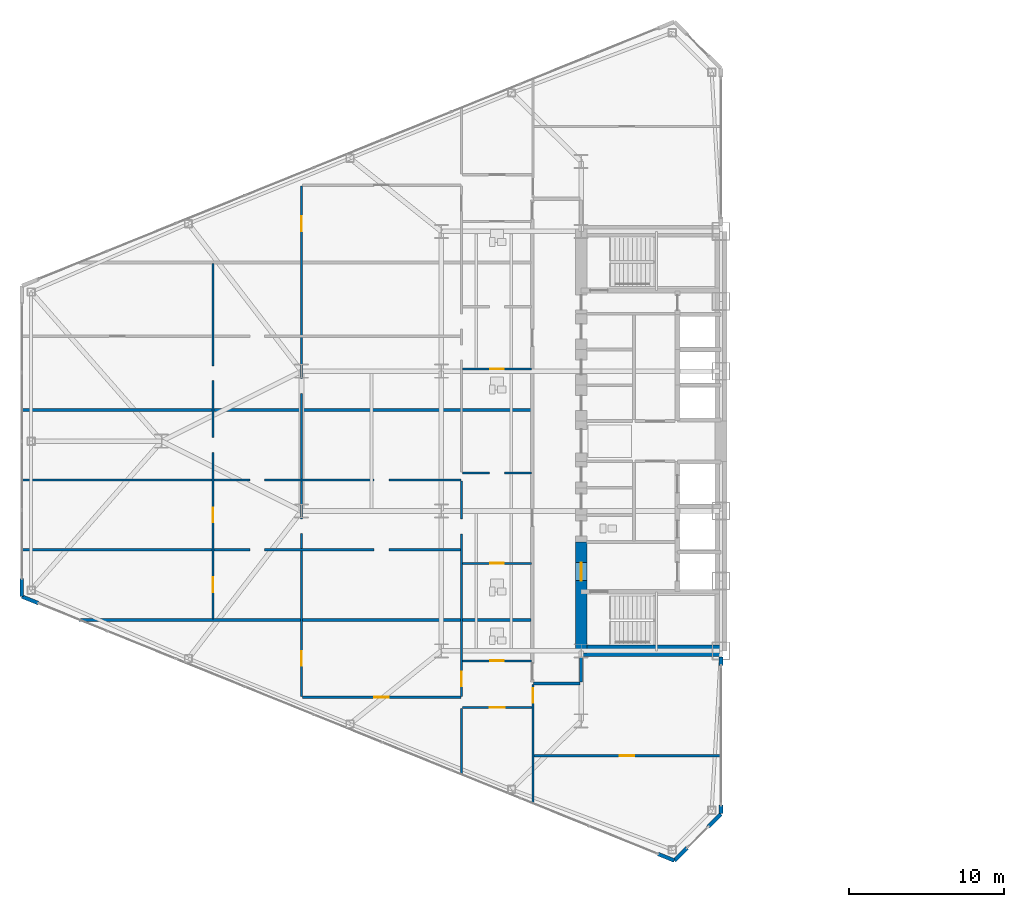
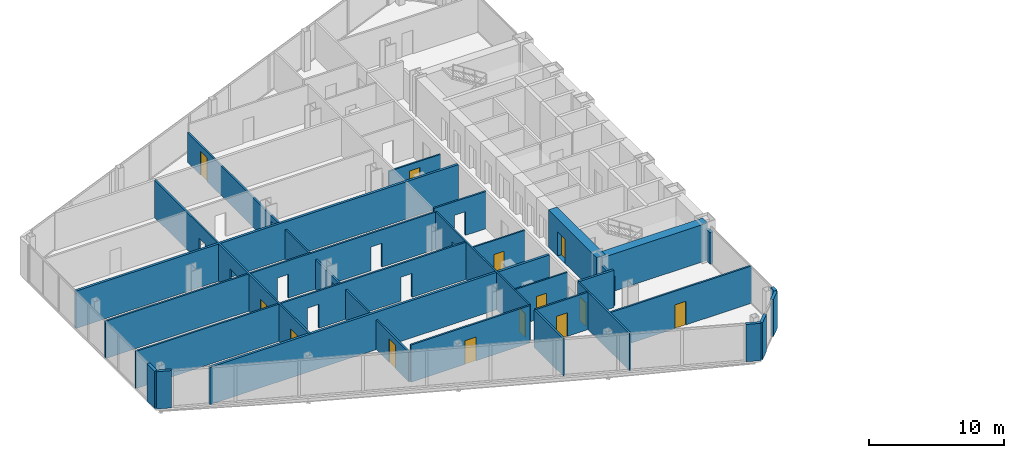
# One storey, part 17 of 25: 27 walls, 13 doors, 23 openings.
"""IFC4 building model written with IfcOpenShell, lengths in metres."""

from ifc_helpers import new_model, si_unit, direction, frame, frame_2d, origin, place, context, subcontext, project, spatial, rectangle, extrude, source, transform, mapped, material, layer, layer_set, type_object, type_shapes, element, fill, save


model = new_model("IFC4")

# Units and contexts
model_context = context("Model", 3, precision=1e-05, world=origin(), true_north=direction((0.0, 1.0)))
body_context = subcontext(model_context, "Body", "Model", "MODEL_VIEW")
ifc_project = project(units=[si_unit("LENGTHUNIT", "METRE"), si_unit("AREAUNIT", "SQUARE_METRE"), si_unit("VOLUMEUNIT", "CUBIC_METRE"), si_unit("PLANEANGLEUNIT", "RADIAN"), si_unit("MASSUNIT", "GRAM", prefix="KILO")], contexts=[model_context])

# Site, building, storey
site_placement = place(None, origin())
site = spatial("IfcSite", under=ifc_project, at=site_placement, CompositionType="ELEMENT")
building_placement = place(site_placement, origin())
building = spatial("IfcBuilding", under=site, at=building_placement, Name="Seokmaru Belvedere", CompositionType="ELEMENT")
storey_placement = place(building_placement, frame((0.0, 0.0, 33.300048828125)))
storey = spatial("IfcBuildingStorey", under=building, at=storey_placement, Name="L08", CompositionType="ELEMENT", Elevation=33.300048828125)

# Wall, opening, door
ifc_material_1 = material(Name="Fire-Rated Gypsum Shaftwall")
ifc_layer_1 = layer(ifc_material_1, 0.14990234375)
ifc_layer_set_1 = layer_set([ifc_layer_1], Name="Fire-Rated Gypsum Shaftwall")
wall_type_1 = type_object("IfcWallType", Name="Apartment Fire-Acoustic Room Partition 150", PredefinedType="PARTITIONING", material=ifc_layer_set_1)
wall_1_placement = place(storey_placement, frame((-39.550048828125, -20.25, 0.0), z_axis=(0.0, 0.0, 1.0), x_axis=(1.0, 0.0, 0.0)))
wall_1 = element("IfcWall", 1, at=wall_1_placement, inside=storey, type_object=wall_type_1, Name="L08 Interior Partition 001", PredefinedType="PARTITIONING", context=body_context, shape_type="SweptSolid", body=[
    extrude(rectangle(XDim=12.0849609375, YDim=0.14990234375, at=frame_2d((6.04248046875, 0.0))), origin(), (0.0, 0.0, 1.0), 3.3798828125),
])
opening_1_placement = place(wall_1_placement, frame((5.52490234375, 0.0, 0.0)))
opening_1 = element("IfcOpeningElement", 2, at=opening_1_placement, cuts=wall_1, Name="Opening D05", PredefinedType="OPENING", context=body_context, shape_type="SweptSolid", body=[
    extrude(rectangle(XDim=0.949951171875, YDim=2.14990234375, at=frame_2d((0.47509765625, 1.074951171875))), frame((0.0, 0.0849609375, 0.0), z_axis=(0.0, -1.0, 0.0), x_axis=(1.0, 0.0, 0.0)), (0.0, 0.0, 1.0), 0.169921875),
])
ifc_material_2 = material(Name="Engineered White Oak Timber", Category="wood")
door_type_1 = type_object("IfcDoorType", Name="Apartment Interior Fire-Rated Oak Door 950x2150", OperationType="NOTDEFINED", PredefinedType="DOOR", material=ifc_material_2)
shared_shape_1 = source(origin(), body_context, "Body", "SweptSolid", [
    extrude(rectangle(XDim=0.949951171875, YDim=2.14990234375, at=frame_2d((0.47509765625, 1.074951171875))), frame((0.0, 0.02490234375, 0.0), z_axis=(0.0, -1.0, 0.0), x_axis=(1.0, 0.0, 0.0)), (0.0, 0.0, 1.0), 0.050048828125),
])
type_shapes(door_type_1, [shared_shape_1])
door_1_placement = place(opening_1_placement, origin())
door_1 = element("IfcDoor", 3, at=door_1_placement, inside=storey, type_object=door_type_1, Name="L08 Interior Door 008", OperationType="SINGLE_SWING_RIGHT", OverallHeight=2.14990234375, OverallWidth=0.949951171875, PredefinedType="DOOR", context=body_context, shape_type="MappedRepresentation", body=[
    mapped(shared_shape_1, transform((0.0, 0.0, 0.0), scale=1.0)),
])
fill(opening_1, door_1)

wall_2_placement = place(storey_placement, frame((-44.14990234375, -17.139892578125, 0.0), z_axis=(0.0, 0.0, 1.0), x_axis=(1.0, 0.0, 0.0)))
wall_2 = element("IfcWall", 4, at=wall_2_placement, inside=storey, type_object=wall_type_1, Name="L08 Interior Partition 003", PredefinedType="PARTITIONING", context=body_context, shape_type="SweptSolid", body=[
    extrude(rectangle(XDim=4.5, YDim=0.14990234375, at=frame_2d((2.25, 0.0))), origin(), (0.0, 0.0, 1.0), 3.3798828125),
])
opening_2_placement = place(wall_2_placement, frame((1.77490234375, 0.0, 0.0)))
opening_2 = element("IfcOpeningElement", 5, at=opening_2_placement, cuts=wall_2, Name="Opening D05", PredefinedType="OPENING", context=body_context, shape_type="SweptSolid", body=[
    extrude(rectangle(XDim=0.949951171875, YDim=2.14990234375, at=frame_2d((0.47509765625, 1.074951171875))), frame((0.0, 0.0849609375, 0.0), z_axis=(0.0, -1.0, 0.0), x_axis=(1.0, 0.0, 0.0)), (0.0, 0.0, 1.0), 0.169921875),
])
door_2_placement = place(opening_2_placement, origin())
door_2 = element("IfcDoor", 6, at=door_2_placement, inside=storey, type_object=door_type_1, Name="L08 Interior Door 003", OperationType="SINGLE_SWING_LEFT", OverallHeight=2.14990234375, OverallWidth=0.949951171875, PredefinedType="DOOR", context=body_context, shape_type="MappedRepresentation", body=[
    mapped(shared_shape_1, transform((0.0, 0.0, 0.0), scale=1.0)),
])
fill(opening_2, door_2)

wall_3_placement = place(storey_placement, frame((-54.449951171875, -16.47998046875, 0.0), z_axis=(0.0, 0.0, 1.0), x_axis=(1.0, 0.0, 0.0)))
wall_3 = element("IfcWall", 7, at=wall_3_placement, inside=storey, type_object=wall_type_1, Name="L08 Interior Partition 005", PredefinedType="PARTITIONING", context=body_context, shape_type="SweptSolid", body=[
    extrude(rectangle(XDim=10.199951171875, YDim=0.14990234375, at=frame_2d((5.10009765625, 0.0))), origin(), (0.0, 0.0, 1.0), 3.3798828125),
])
opening_3_placement = place(wall_3_placement, frame((4.625, 0.0, 0.0)))
opening_3 = element("IfcOpeningElement", 8, at=opening_3_placement, cuts=wall_3, Name="Opening D05", PredefinedType="OPENING", context=body_context, shape_type="SweptSolid", body=[
    extrude(rectangle(XDim=0.949951171875, YDim=2.14990234375, at=frame_2d((0.47509765625, 1.074951171875))), frame((0.0, 0.0849609375, 0.0), z_axis=(0.0, -1.0, 0.0), x_axis=(1.0, 0.0, 0.0)), (0.0, 0.0, 1.0), 0.169921875),
])
door_3_placement = place(opening_3_placement, origin())
door_3 = element("IfcDoor", 9, at=door_3_placement, inside=storey, type_object=door_type_1, Name="L08 Interior Door 007", OperationType="SINGLE_SWING_LEFT", OverallHeight=2.14990234375, OverallWidth=0.949951171875, PredefinedType="DOOR", context=body_context, shape_type="MappedRepresentation", body=[
    mapped(shared_shape_1, transform((0.0, 0.0, 0.0), scale=1.0)),
])
fill(opening_3, door_3)

# Wall, openings
wall_4_placement = place(storey_placement, frame((-72.534912109375, -7.0, 0.0), z_axis=(0.0, 0.0, 1.0), x_axis=(1.0, 0.0, 0.0)))
wall_4 = element("IfcWall", 10, at=wall_4_placement, inside=storey, type_object=wall_type_1, Name="L08 Interior Partition 014", PredefinedType="PARTITIONING", context=body_context, shape_type="SweptSolid", body=[
    extrude(rectangle(XDim=28.284912109375, YDim=0.14990234375, at=frame_2d((14.142578125, 0.0))), origin(), (0.0, 0.0, 1.0), 3.3798828125),
])
opening_4_placement = place(wall_4_placement, frame((22.7099609375, 0.0, 0.0)))
element("IfcOpeningElement", 11, at=opening_4_placement, cuts=wall_4, Name="L08 Cased Opening 014", PredefinedType="OPENING", context=body_context, shape_type="SweptSolid", body=[
    extrude(rectangle(XDim=0.949951171875, YDim=2.14990234375, at=frame_2d((0.47509765625, 1.074951171875))), frame((0.0, 0.0849609375, 0.0), z_axis=(0.0, -1.0, 0.0), x_axis=(1.0, 0.0, 0.0)), (0.0, 0.0, 1.0), 0.169921875),
])
opening_5_placement = place(wall_4_placement, frame((14.7099609375, 0.0, 0.0)))
element("IfcOpeningElement", 12, at=opening_5_placement, cuts=wall_4, Name="L08 Cased Opening 016", PredefinedType="OPENING", context=body_context, shape_type="SweptSolid", body=[
    extrude(rectangle(XDim=0.949951171875, YDim=2.14990234375, at=frame_2d((0.47509765625, 1.074951171875))), frame((0.0, 0.0849609375, 0.0), z_axis=(0.0, -1.0, 0.0), x_axis=(1.0, 0.0, 0.0)), (0.0, 0.0, 1.0), 0.169921875),
])

wall_5_placement = place(storey_placement, frame((-72.534912109375, -2.5, 0.0), z_axis=(0.0, 0.0, 1.0), x_axis=(1.0, 0.0, 0.0)))
wall_5 = element("IfcWall", 13, at=wall_5_placement, inside=storey, type_object=wall_type_1, Name="L08 Interior Partition 016", PredefinedType="PARTITIONING", context=body_context, shape_type="SweptSolid", body=[
    extrude(rectangle(XDim=28.284912109375, YDim=0.14990234375, at=frame_2d((14.142578125, 0.0))), origin(), (0.0, 0.0, 1.0), 3.3798828125),
])
opening_6_placement = place(wall_5_placement, frame((22.7099609375, 0.0, 0.0)))
element("IfcOpeningElement", 14, at=opening_6_placement, cuts=wall_5, Name="L08 Cased Opening 015", PredefinedType="OPENING", context=body_context, shape_type="SweptSolid", body=[
    extrude(rectangle(XDim=0.949951171875, YDim=2.14990234375, at=frame_2d((0.47509765625, 1.074951171875))), frame((0.0, 0.0849609375, 0.0), z_axis=(0.0, -1.0, 0.0), x_axis=(1.0, 0.0, 0.0)), (0.0, 0.0, 1.0), 0.169921875),
])
opening_7_placement = place(wall_5_placement, frame((14.7099609375, 0.0, 0.0)))
element("IfcOpeningElement", 15, at=opening_7_placement, cuts=wall_5, Name="L08 Cased Opening 019", PredefinedType="OPENING", context=body_context, shape_type="SweptSolid", body=[
    extrude(rectangle(XDim=0.949951171875, YDim=2.14990234375, at=frame_2d((0.47509765625, 1.074951171875))), frame((0.0, 0.0849609375, 0.0), z_axis=(0.0, -1.0, 0.0), x_axis=(1.0, 0.0, 0.0)), (0.0, 0.0, 1.0), 0.169921875),
])

# Wall, opening
wall_6_placement = place(storey_placement, frame((-44.14990234375, -2.050048828125, 0.0), z_axis=(0.0, 0.0, 1.0), x_axis=(1.0, 0.0, 0.0)))
wall_6 = element("IfcWall", 16, at=wall_6_placement, inside=storey, type_object=wall_type_1, Name="L08 Interior Partition 018", PredefinedType="PARTITIONING", context=body_context, shape_type="SweptSolid", body=[
    extrude(rectangle(XDim=4.449951171875, YDim=0.14990234375, at=frame_2d((2.22509765625, 0.0))), origin(), (0.0, 0.0, 1.0), 3.3798828125),
])
opening_8_placement = place(wall_6_placement, frame((1.75, 0.0, 0.0)))
element("IfcOpeningElement", 17, at=opening_8_placement, cuts=wall_6, Name="L08 Cased Opening 011", PredefinedType="OPENING", context=body_context, shape_type="SweptSolid", body=[
    extrude(rectangle(XDim=0.949951171875, YDim=2.14990234375, at=frame_2d((0.47509765625, 1.074951171875))), frame((0.0, 0.0849609375, 0.0), z_axis=(0.0, -1.0, 0.0), x_axis=(1.0, 0.0, 0.0)), (0.0, 0.0, 1.0), 0.169921875),
])

# Wall, openings, doors
wall_7_placement = place(storey_placement, frame((-60.199951171875, -11.449951171875, 0.0), z_axis=(0.0, 0.0, 1.0), x_axis=(0.0, 1.0, 0.0)))
wall_7 = element("IfcWall", 18, at=wall_7_placement, inside=storey, type_object=wall_type_1, Name="L08 Interior Partition 039", PredefinedType="PARTITIONING", context=body_context, shape_type="SweptSolid", body=[
    extrude(rectangle(XDim=22.89990234375, YDim=0.14990234375, at=frame_2d((11.449951171875, 0.0))), origin(), (0.0, 0.0, 1.0), 3.3798828125),
])
opening_9_placement = place(wall_7_placement, frame((1.72509765625, 0.0, 0.0)))
opening_9 = element("IfcOpeningElement", 19, at=opening_9_placement, cuts=wall_7, Name="Opening D05", PredefinedType="OPENING", context=body_context, shape_type="SweptSolid", body=[
    extrude(rectangle(XDim=0.949951171875, YDim=2.14990234375, at=frame_2d((0.47509765625, 1.074951171875))), frame((0.0, 0.0849609375, 0.0), z_axis=(0.0, -1.0, 0.0), x_axis=(1.0, 0.0, 0.0)), (0.0, 0.0, 1.0), 0.169921875),
])
opening_10_placement = place(wall_7_placement, frame((6.22509765625, 0.0, 0.0)))
opening_10 = element("IfcOpeningElement", 20, at=opening_10_placement, cuts=wall_7, Name="Opening D05", PredefinedType="OPENING", context=body_context, shape_type="SweptSolid", body=[
    extrude(rectangle(XDim=0.949951171875, YDim=2.14990234375, at=frame_2d((0.47509765625, 1.074951171875))), frame((0.0, 0.0849609375, 0.0), z_axis=(0.0, -1.0, 0.0), x_axis=(1.0, 0.0, 0.0)), (0.0, 0.0, 1.0), 0.169921875),
])
opening_11_placement = place(wall_7_placement, frame((10.72509765625, 0.0, 0.0)))
element("IfcOpeningElement", 21, at=opening_11_placement, cuts=wall_7, Name="L08 Cased Opening 020", PredefinedType="OPENING", context=body_context, shape_type="SweptSolid", body=[
    extrude(rectangle(XDim=0.949951171875, YDim=2.14990234375, at=frame_2d((0.47509765625, 1.074951171875))), frame((0.0, 0.0849609375, 0.0), z_axis=(0.0, -1.0, 0.0), x_axis=(1.0, 0.0, 0.0)), (0.0, 0.0, 1.0), 0.169921875),
])
opening_12_placement = place(wall_7_placement, frame((15.35009765625, 0.0, 0.0)))
element("IfcOpeningElement", 22, at=opening_12_placement, cuts=wall_7, Name="L08 Cased Opening 027", PredefinedType="OPENING", context=body_context, shape_type="SweptSolid", body=[
    extrude(rectangle(XDim=0.949951171875, YDim=2.14990234375, at=frame_2d((0.47509765625, 1.074951171875))), frame((0.0, 0.0849609375, 0.0), z_axis=(0.0, -1.0, 0.0), x_axis=(1.0, 0.0, 0.0)), (0.0, 0.0, 1.0), 0.169921875),
])
door_4_placement = place(opening_9_placement, origin())
door_4 = element("IfcDoor", 23, at=door_4_placement, inside=storey, type_object=door_type_1, Name="L08 Interior Door 017", OperationType="SINGLE_SWING_RIGHT", OverallHeight=2.14990234375, OverallWidth=0.949951171875, PredefinedType="DOOR", context=body_context, shape_type="MappedRepresentation", body=[
    mapped(shared_shape_1, transform((0.0, 0.0, 0.0), scale=1.0)),
])
fill(opening_9, door_4)
door_5_placement = place(opening_10_placement, origin())
door_5 = element("IfcDoor", 24, at=door_5_placement, inside=storey, type_object=door_type_1, Name="L08 Interior Door 018", OperationType="SINGLE_SWING_RIGHT", OverallHeight=2.14990234375, OverallWidth=0.949951171875, PredefinedType="DOOR", context=body_context, shape_type="MappedRepresentation", body=[
    mapped(shared_shape_1, transform((0.0, 0.0, 0.0), scale=1.0)),
])
fill(opening_10, door_5)

wall_8_placement = place(storey_placement, frame((-54.5, -16.427001953125, 0.0), z_axis=(0.0, 0.0, 1.0), x_axis=(0.0, 1.0, 0.0)))
wall_8 = element("IfcWall", 25, at=wall_8_placement, inside=storey, type_object=wall_type_1, Name="L08 Interior Partition 040", PredefinedType="PARTITIONING", context=body_context, shape_type="SweptSolid", body=[
    extrude(rectangle(XDim=32.85400390625, YDim=0.14990234375, at=frame_2d((16.427001953125, 0.0))), origin(), (0.0, 0.0, 1.0), 2.679931640625),
])
opening_13_placement = place(wall_8_placement, frame((1.96337890625, 0.0, 0.0)))
opening_13 = element("IfcOpeningElement", 26, at=opening_13_placement, cuts=wall_8, Name="Opening D05", PredefinedType="OPENING", context=body_context, shape_type="SweptSolid", body=[
    extrude(rectangle(XDim=0.949951171875, YDim=2.14990234375, at=frame_2d((0.47509765625, 1.074951171875))), frame((0.0, 0.0849609375, 0.0), z_axis=(0.0, -1.0, 0.0), x_axis=(1.0, 0.0, 0.0)), (0.0, 0.0, 1.0), 0.169921875),
])
opening_14_placement = place(wall_8_placement, frame((10.469970703125, 0.0, 0.0)))
element("IfcOpeningElement", 27, at=opening_14_placement, cuts=wall_8, Name="L08 Cased Opening 013", PredefinedType="OPENING", context=body_context, shape_type="SweptSolid", body=[
    extrude(rectangle(XDim=0.949951171875, YDim=2.14990234375, at=frame_2d((0.47509765625, 1.074951171875))), frame((0.0, 0.0849609375, 0.0), z_axis=(0.0, -1.0, 0.0), x_axis=(1.0, 0.0, 0.0)), (0.0, 0.0, 1.0), 0.169921875),
])
opening_15_placement = place(wall_8_placement, frame((19.50390625, 0.0, 0.0)))
element("IfcOpeningElement", 28, at=opening_15_placement, cuts=wall_8, Name="L08 Cased Opening 026", PredefinedType="OPENING", context=body_context, shape_type="SweptSolid", body=[
    extrude(rectangle(XDim=0.949951171875, YDim=2.14990234375, at=frame_2d((0.47509765625, 1.074951171875))), frame((0.0, 0.0849609375, 0.0), z_axis=(0.0, -1.0, 0.0), x_axis=(1.0, 0.0, 0.0)), (0.0, 0.0, 1.0), 0.169921875),
])
opening_16_placement = place(wall_8_placement, frame((29.940673828125, 0.0, 0.0)))
opening_16 = element("IfcOpeningElement", 29, at=opening_16_placement, cuts=wall_8, Name="Opening D05", PredefinedType="OPENING", context=body_context, shape_type="SweptSolid", body=[
    extrude(rectangle(XDim=0.949951171875, YDim=2.14990234375, at=frame_2d((0.47509765625, 1.074951171875))), frame((0.0, 0.0849609375, 0.0), z_axis=(0.0, -1.0, 0.0), x_axis=(1.0, 0.0, 0.0)), (0.0, 0.0, 1.0), 0.169921875),
])
door_6_placement = place(opening_13_placement, origin())
door_6 = element("IfcDoor", 30, at=door_6_placement, inside=storey, type_object=door_type_1, Name="L08 Interior Door 006", OperationType="SINGLE_SWING_RIGHT", OverallHeight=2.14990234375, OverallWidth=0.949951171875, PredefinedType="DOOR", context=body_context, shape_type="MappedRepresentation", body=[
    mapped(shared_shape_1, transform((0.0, 0.0, 0.0), scale=1.0)),
])
fill(opening_13, door_6)
door_7_placement = place(opening_16_placement, origin())
door_7 = element("IfcDoor", 31, at=door_7_placement, inside=storey, type_object=door_type_1, Name="L08 Interior Door 035", OperationType="SINGLE_SWING_RIGHT", OverallHeight=2.14990234375, OverallWidth=0.949951171875, PredefinedType="DOOR", context=body_context, shape_type="MappedRepresentation", body=[
    mapped(shared_shape_1, transform((0.0, 0.0, 0.0), scale=1.0)),
])
fill(opening_16, door_7)

# Wall
wall_9_placement = place(storey_placement, frame((-44.199951171875, -21.489990234375, 0.0), z_axis=(0.0, 0.0, 1.0), x_axis=(0.0, 1.0, 0.0)))
element("IfcWall", 32, at=wall_9_placement, inside=storey, type_object=wall_type_1, Name="L08 Interior Partition 041", PredefinedType="PARTITIONING", context=body_context, shape_type="SweptSolid", body=[
    extrude(rectangle(XDim=4.294921875, YDim=0.14990234375, at=frame_2d((2.1474609375, 0.0))), origin(), (0.0, 0.0, 1.0), 3.3798828125),
])

# Wall, opening, door
wall_10_placement = place(storey_placement, frame((-39.60009765625, -23.35205078125, 0.0), z_axis=(0.0, 0.0, 1.0), x_axis=(0.0, 1.0, 0.0)))
wall_10 = element("IfcWall", 33, at=wall_10_placement, inside=storey, type_object=wall_type_1, Name="L08 Interior Partition 046", PredefinedType="PARTITIONING", context=body_context, shape_type="SweptSolid", body=[
    extrude(rectangle(XDim=7.7021484375, YDim=0.14990234375, at=frame_2d((3.85107421875, 0.0))), origin(), (0.0, 0.0, 1.0), 3.3798828125),
])
opening_17_placement = place(wall_10_placement, frame((6.50439453125, 0.0, 0.0)))
opening_17 = element("IfcOpeningElement", 34, at=opening_17_placement, cuts=wall_10, Name="Opening D05", PredefinedType="OPENING", context=body_context, shape_type="SweptSolid", body=[
    extrude(rectangle(XDim=0.949951171875, YDim=2.14990234375, at=frame_2d((0.47509765625, 1.074951171875))), frame((0.0, 0.0849609375, 0.0), z_axis=(0.0, -1.0, 0.0), x_axis=(1.0, 0.0, 0.0)), (0.0, 0.0, 1.0), 0.169921875),
])
door_8_placement = place(opening_17_placement, origin())
door_8 = element("IfcDoor", 35, at=door_8_placement, inside=storey, type_object=door_type_1, Name="L08 Interior Door 005", OperationType="SINGLE_SWING_RIGHT", OverallHeight=2.14990234375, OverallWidth=0.949951171875, PredefinedType="DOOR", context=body_context, shape_type="MappedRepresentation", body=[
    mapped(shared_shape_1, transform((0.0, 0.0, 0.0), scale=1.0)),
])
fill(opening_17, door_8)

# Walls
ifc_layer_2 = layer(ifc_material_1, 0.199951171875)
ifc_layer_set_2 = layer_set([ifc_layer_2], Name="Fire-Rated Gypsum Shaftwall")
wall_type_2 = type_object("IfcWallType", Name="Inter-Tenancy Fire Compartment Partition 200", PredefinedType="PARTITIONING", material=ifc_layer_set_2)
wall_11_placement = place(storey_placement, frame((-39.56494140625, -15.60009765625, 0.0), z_axis=(0.0, 0.0, 1.0), x_axis=(1.0, 0.0, 0.0)))
element("IfcWall", 36, at=wall_11_placement, inside=storey, type_object=wall_type_2, Name="L08 Interior Partition 006", PredefinedType="PARTITIONING", context=body_context, shape_type="SweptSolid", body=[
    extrude(rectangle(XDim=2.97998046875, YDim=0.199951171875, at=frame_2d((1.489990234375, 0.0))), origin(), (0.0, 0.0, 1.0), 3.3798828125),
])
wall_12_placement = place(storey_placement, frame((-68.806884765625, -11.5, 0.0), z_axis=(0.0, 0.0, 1.0), x_axis=(1.0, 0.0, 0.0)))
element("IfcWall", 37, at=wall_12_placement, inside=storey, type_object=wall_type_2, Name="L08 Interior Partition 011", PredefinedType="PARTITIONING", context=body_context, shape_type="SweptSolid", body=[
    extrude(rectangle(XDim=29.076904296875, YDim=0.199951171875, at=frame_2d((14.53857421875, 0.0))), origin(), (0.0, 0.0, 1.0), 3.3798828125),
])
wall_13_placement = place(storey_placement, frame((-72.5048828125, 2.0, 0.0), z_axis=(0.0, 0.0, 1.0), x_axis=(1.0, 0.0, 0.0)))
element("IfcWall", 38, at=wall_13_placement, inside=storey, type_object=wall_type_2, Name="L08 Interior Partition 020", PredefinedType="PARTITIONING", context=body_context, shape_type="SweptSolid", body=[
    extrude(rectangle(XDim=32.77490234375, YDim=0.199951171875, at=frame_2d((16.387451171875, 0.0))), origin(), (0.0, 0.0, 1.0), 3.3798828125),
])
wall_14_placement = place(storey_placement, frame((-36.5, -15.514892578125, 0.0), z_axis=(0.0, 0.0, 1.0), x_axis=(0.0, 1.0, 0.0)))
element("IfcWall", 39, at=wall_14_placement, inside=storey, type_object=wall_type_2, Name="L08 Interior Partition 048", PredefinedType="PARTITIONING", context=body_context, shape_type="SweptSolid", body=[
    extrude(rectangle(XDim=1.635009765625, YDim=0.199951171875, at=frame_2d((0.8173828125, 0.0))), origin(), (0.0, 0.0, 1.0), 2.679931640625),
])
ifc_material_3 = material(Name="Concrete C60 (60 MPa)", Category="concrete")
ifc_layer_3 = layer(ifc_material_3, 0.75)
ifc_layer_set_3 = layer_set([ifc_layer_3], Name="Concrete C60 (60 MPa)")
wall_type_3 = type_object("IfcWallType", Name="Lower Tower Reinforced Concrete Core Wall 750", PredefinedType="SHEAR", material=ifc_layer_set_3)
wall_15_placement = place(storey_placement, frame((-36.5, -13.5, 0.0), z_axis=(0.0, 0.0, 1.0), x_axis=(1.0, 0.0, 0.0)))
element("IfcWall", 40, at=wall_15_placement, inside=storey, type_object=wall_type_3, Name="L08 West South Core Wall", PredefinedType="SHEAR", context=body_context, shape_type="SweptSolid", body=[
    extrude(rectangle(XDim=9.0, YDim=0.75, at=frame_2d((4.5, 0.0))), origin(), (0.0, 0.0, 1.0), 3.3798828125),
])

# Wall, opening, door
wall_16_placement = place(storey_placement, frame((-36.5, -13.64990234375, 0.0), z_axis=(0.0, 0.0, 1.0), x_axis=(0.0, 1.0, 0.0)))
wall_16 = element("IfcWall", 41, at=wall_16_placement, inside=storey, type_object=wall_type_3, Name="L08 West West Core Wall FF", PredefinedType="SHEAR", context=body_context, shape_type="SweptSolid", body=[
    extrude(rectangle(XDim=7.14990234375, YDim=0.75, at=frame_2d((3.574951171875, 0.0))), origin(), (0.0, 0.0, 1.0), 3.3798828125),
])
opening_18_placement = place(wall_16_placement, frame((4.675048828125, 0.0, 0.0)))
opening_18 = element("IfcOpeningElement", 42, at=opening_18_placement, cuts=wall_16, Name="Opening D02", PredefinedType="OPENING", context=body_context, shape_type="SweptSolid", body=[
    extrude(rectangle(XDim=1.14990234375, YDim=2.199951171875, at=frame_2d((0.574951171875, 1.10009765625))), frame((0.0, 0.385009765625, 0.0), z_axis=(0.0, -1.0, 0.0), x_axis=(1.0, 0.0, 0.0)), (0.0, 0.0, 1.0), 0.77001953125),
])
ifc_material_4 = material(Name="Fire-Rated Steel Leaf", Category="steel")
door_type_2 = type_object("IfcDoorType", Name="Lobby and Vestibule Fire Door 1150x2200", OperationType="NOTDEFINED", PredefinedType="DOOR", material=ifc_material_4)
shared_shape_2 = source(origin(), body_context, "Body", "SweptSolid", [
    extrude(rectangle(XDim=1.14990234375, YDim=2.199951171875, at=frame_2d((0.574951171875, 1.10009765625))), frame((0.0, 0.02490234375, 0.0), z_axis=(0.0, -1.0, 0.0), x_axis=(1.0, 0.0, 0.0)), (0.0, 0.0, 1.0), 0.050048828125),
])
type_shapes(door_type_2, [shared_shape_2])
door_9_placement = place(opening_18_placement, frame((1.14990234375, 0.0, 0.0), z_axis=(0.0, 0.0, 1.0), x_axis=(-1.0, 0.0, 0.0)))
door_9 = element("IfcDoor", 43, at=door_9_placement, inside=storey, type_object=door_type_2, Name="L08 West Firefighting Lobby Door", OperationType="SINGLE_SWING_LEFT", OverallHeight=2.199951171875, OverallWidth=1.14990234375, PredefinedType="DOOR", context=body_context, shape_type="MappedRepresentation", body=[
    mapped(shared_shape_2, transform((0.0, 0.0, 0.0), scale=1.0)),
])
fill(opening_18, door_9)

ifc_layer_4 = layer(ifc_material_1, 0.1298828125)
ifc_layer_set_4 = layer_set([ifc_layer_4], Name="Fire-Rated Gypsum Shaftwall")
wall_type_4 = type_object("IfcWallType", Name="Moisture-Resistant Fire-Rated Bathroom Partition 130", PredefinedType="PARTITIONING", material=ifc_layer_set_4)
wall_17_placement = place(storey_placement, frame((-44.14990234375, -14.139892578125, 0.0), z_axis=(0.0, 0.0, 1.0), x_axis=(1.0, 0.0, 0.0)))
wall_17 = element("IfcWall", 44, at=wall_17_placement, inside=storey, type_object=wall_type_4, Name="L08 Interior Partition 008", PredefinedType="PARTITIONING", context=body_context, shape_type="SweptSolid", body=[
    extrude(rectangle(XDim=4.449951171875, YDim=0.1298828125, at=frame_2d((2.22509765625, 0.0))), origin(), (0.0, 0.0, 1.0), 3.3798828125),
])
opening_19_placement = place(wall_17_placement, frame((1.784912109375, 0.0, 0.0)))
opening_19 = element("IfcOpeningElement", 45, at=opening_19_placement, cuts=wall_17, Name="Opening D06", PredefinedType="OPENING", context=body_context, shape_type="SweptSolid", body=[
    extrude(rectangle(XDim=0.8798828125, YDim=2.10009765625, at=frame_2d((0.43994140625, 1.050048828125))), frame((0.0, 0.074951171875, 0.0), z_axis=(0.0, -1.0, 0.0), x_axis=(1.0, 0.0, 0.0)), (0.0, 0.0, 1.0), 0.14990234375),
])
door_type_3 = type_object("IfcDoorType", Name="Bathroom and Restroom Fire-Rated Door 880x2100", OperationType="NOTDEFINED", PredefinedType="DOOR", material=ifc_material_2)
shared_shape_3 = source(origin(), body_context, "Body", "SweptSolid", [
    extrude(rectangle(XDim=0.8798828125, YDim=2.10009765625, at=frame_2d((0.43994140625, 1.050048828125))), frame((0.0, 0.02490234375, 0.0), z_axis=(0.0, -1.0, 0.0), x_axis=(1.0, 0.0, 0.0)), (0.0, 0.0, 1.0), 0.050048828125),
])
type_shapes(door_type_3, [shared_shape_3])
door_10_placement = place(opening_19_placement, origin())
door_10 = element("IfcDoor", 46, at=door_10_placement, inside=storey, type_object=door_type_3, Name="L08 Interior Door 002", OperationType="SINGLE_SWING_LEFT", OverallHeight=2.10009765625, OverallWidth=0.8798828125, PredefinedType="DOOR", context=body_context, shape_type="MappedRepresentation", body=[
    mapped(shared_shape_3, transform((0.0, 0.0, 0.0), scale=1.0)),
])
fill(opening_19, door_10)

wall_18_placement = place(storey_placement, frame((-44.14990234375, -7.860107421875, 0.0), z_axis=(0.0, 0.0, 1.0), x_axis=(1.0, 0.0, 0.0)))
wall_18 = element("IfcWall", 47, at=wall_18_placement, inside=storey, type_object=wall_type_4, Name="L08 Interior Partition 013", PredefinedType="PARTITIONING", context=body_context, shape_type="SweptSolid", body=[
    extrude(rectangle(XDim=4.449951171875, YDim=0.1298828125, at=frame_2d((2.22509765625, 0.0))), origin(), (0.0, 0.0, 1.0), 3.3798828125),
])
opening_20_placement = place(wall_18_placement, frame((1.784912109375, 0.0, 0.0)))
opening_20 = element("IfcOpeningElement", 48, at=opening_20_placement, cuts=wall_18, Name="Opening D06", PredefinedType="OPENING", context=body_context, shape_type="SweptSolid", body=[
    extrude(rectangle(XDim=0.8798828125, YDim=2.10009765625, at=frame_2d((0.43994140625, 1.050048828125))), frame((0.0, 0.074951171875, 0.0), z_axis=(0.0, -1.0, 0.0), x_axis=(1.0, 0.0, 0.0)), (0.0, 0.0, 1.0), 0.14990234375),
])
door_11_placement = place(opening_20_placement, origin())
door_11 = element("IfcDoor", 49, at=door_11_placement, inside=storey, type_object=door_type_3, Name="L08 Interior Door 010", OperationType="SINGLE_SWING_LEFT", OverallHeight=2.10009765625, OverallWidth=0.8798828125, PredefinedType="DOOR", context=body_context, shape_type="MappedRepresentation", body=[
    mapped(shared_shape_3, transform((0.0, 0.0, 0.0), scale=1.0)),
])
fill(opening_20, door_11)

wall_19_placement = place(storey_placement, frame((-44.14990234375, 4.639892578125, 0.0), z_axis=(0.0, 0.0, 1.0), x_axis=(1.0, 0.0, 0.0)))
wall_19 = element("IfcWall", 50, at=wall_19_placement, inside=storey, type_object=wall_type_4, Name="L08 Interior Partition 023", PredefinedType="PARTITIONING", context=body_context, shape_type="SweptSolid", body=[
    extrude(rectangle(XDim=4.449951171875, YDim=0.1298828125, at=frame_2d((2.22509765625, 0.0))), origin(), (0.0, 0.0, 1.0), 2.679931640625),
])
opening_21_placement = place(wall_19_placement, frame((1.784912109375, 0.0, 0.0)))
opening_21 = element("IfcOpeningElement", 51, at=opening_21_placement, cuts=wall_19, Name="Opening D06", PredefinedType="OPENING", context=body_context, shape_type="SweptSolid", body=[
    extrude(rectangle(XDim=0.8798828125, YDim=2.10009765625, at=frame_2d((0.43994140625, 1.050048828125))), frame((0.0, 0.074951171875, 0.0), z_axis=(0.0, -1.0, 0.0), x_axis=(1.0, 0.0, 0.0)), (0.0, 0.0, 1.0), 0.14990234375),
])
door_12_placement = place(opening_21_placement, origin())
door_12 = element("IfcDoor", 52, at=door_12_placement, inside=storey, type_object=door_type_3, Name="L08 Interior Door 022", OperationType="SINGLE_SWING_LEFT", OverallHeight=2.10009765625, OverallWidth=0.8798828125, PredefinedType="DOOR", context=body_context, shape_type="MappedRepresentation", body=[
    mapped(shared_shape_3, transform((0.0, 0.0, 0.0), scale=1.0)),
])
fill(opening_21, door_12)

# Wall, openings, door
wall_20_placement = place(storey_placement, frame((-44.199951171875, -16.427001953125, 0.0), z_axis=(0.0, 0.0, 1.0), x_axis=(0.0, 1.0, 0.0)))
wall_20 = element("IfcWall", 53, at=wall_20_placement, inside=storey, type_object=wall_type_4, Name="L08 Interior Partition 042", PredefinedType="PARTITIONING", context=body_context, shape_type="SweptSolid", body=[
    extrude(rectangle(XDim=13.876953125, YDim=0.1298828125, at=frame_2d((6.9384765625, 0.0))), origin(), (0.0, 0.0, 1.0), 3.3798828125),
])
opening_22_placement = place(wall_20_placement, frame((0.640869140625, 0.0, 0.0)))
opening_22 = element("IfcOpeningElement", 54, at=opening_22_placement, cuts=wall_20, Name="Opening D05", PredefinedType="OPENING", context=body_context, shape_type="SweptSolid", body=[
    extrude(rectangle(XDim=0.949951171875, YDim=2.14990234375, at=frame_2d((0.47509765625, 1.074951171875))), frame((0.0, 0.074951171875, 0.0), z_axis=(0.0, -1.0, 0.0), x_axis=(1.0, 0.0, 0.0)), (0.0, 0.0, 1.0), 0.14990234375),
])
opening_23_placement = place(wall_20_placement, frame((10.45361328125, 0.0, 0.0)))
element("IfcOpeningElement", 55, at=opening_23_placement, cuts=wall_20, Name="L08 Cased Opening 012", PredefinedType="OPENING", context=body_context, shape_type="SweptSolid", body=[
    extrude(rectangle(XDim=0.949951171875, YDim=2.14990234375, at=frame_2d((0.47509765625, 1.074951171875))), frame((0.0, 0.074951171875, 0.0), z_axis=(0.0, -1.0, 0.0), x_axis=(1.0, 0.0, 0.0)), (0.0, 0.0, 1.0), 0.14990234375),
])
door_13_placement = place(opening_22_placement, origin())
door_13 = element("IfcDoor", 56, at=door_13_placement, inside=storey, type_object=door_type_1, Name="L08 Interior Door 004", OperationType="SINGLE_SWING_RIGHT", OverallHeight=2.14990234375, OverallWidth=0.949951171875, PredefinedType="DOOR", context=body_context, shape_type="MappedRepresentation", body=[
    mapped(shared_shape_1, transform((0.0, 0.0, 0.0), scale=1.0)),
])
fill(opening_22, door_13)

# Walls
ifc_material_5 = material(Name="Anodised Bronze Aluminium", Category="aluminium")
ifc_layer_5 = layer(ifc_material_5, 0.239990234375)
ifc_layer_set_5 = layer_set([ifc_layer_5], Name="Anodised Bronze Aluminium")
wall_type_5 = type_object("IfcWallType", Name="Tower Corner Spandrel Closure Wall 240", PredefinedType="SOLIDWALL", material=ifc_layer_set_5)
wall_21_placement = place(storey_placement, frame((-27.5, -23.97998046875, 0.0), z_axis=(0.0, 0.0, 1.0), x_axis=(0.0, 1.0, 0.0)))
element("IfcWall", 57, at=wall_21_placement, inside=storey, type_object=wall_type_5, Name="L08 W Spine Closure Pier 1A", PredefinedType="SOLIDWALL", context=body_context, shape_type="SweptSolid", body=[
    extrude(rectangle(XDim=0.550048828125, YDim=0.239990234375, at=frame_2d((0.27490234375, 0.0))), origin(), (0.0, 0.0, 1.0), 3.3798828125),
])
wall_22_placement = place(storey_placement, frame((-27.5, -14.429931640625, 0.0), z_axis=(0.0, 0.0, 1.0), x_axis=(0.0, 1.0, 0.0)))
element("IfcWall", 58, at=wall_22_placement, inside=storey, type_object=wall_type_5, Name="L08 W Spine Closure Pier 1B", PredefinedType="SOLIDWALL", context=body_context, shape_type="SweptSolid", body=[
    extrude(rectangle(XDim=0.550048828125, YDim=0.239990234375, at=frame_2d((0.27490234375, 0.0))), origin(), (0.0, 0.0, 1.0), 2.8798828125),
])
for number, where, z_axis, x_axis, name in (
    (59, (-72.5, -8.85009765625, 0.0), (0.0, 0.0, 1.0), (0.0, -1.0, 0.0), "L08 W Corner Closure Pier 4B"),
    (60, (-72.49072265625, -10.00390625, 0.0), (0.0, 0.0, 1.0), (0.927007103665, -0.375043770452, 0.0), "L08 W Corner Closure Pier 5A"),
    (61, (-31.56591796875, -26.568603515625, 0.0), (0.0, 0.0, 1.0), (0.927007103665, -0.375043770452, 0.0), "L08 W Corner Closure Pier 5B"),
):
    element("IfcWall", number, at=place(storey_placement, frame(where, z_axis=z_axis, x_axis=x_axis)), inside=storey, type_object=wall_type_5, Name=name, PredefinedType="SOLIDWALL", context=body_context, shape_type="SweptSolid", body=[
        extrude(rectangle(XDim=1.139892578125, YDim=0.239990234375, at=frame_2d((0.56982421875, 0.0))), origin(), (0.0, 0.0, 1.0), 3.3798828125),
    ])
for number, where, z_axis, x_axis, name in (
    (62, (-30.492919921875, -26.992919921875, 0.0), (0.0, 0.0, 1.0), (0.707106781187, 0.707106781187, 0.0), "L08 W Corner Closure Pier 6A"),
    (63, (-28.313232421875, -24.813232421875, 0.0), (0.0, 0.0, 1.0), (0.707106781187, 0.707106781187, 0.0), "L08 W Corner Closure Pier 6B"),
):
    element("IfcWall", number, at=place(storey_placement, frame(where, z_axis=z_axis, x_axis=x_axis)), inside=storey, type_object=wall_type_5, Name=name, PredefinedType="SOLIDWALL", context=body_context, shape_type="SweptSolid", body=[
        extrude(rectangle(XDim=1.14013671875, YDim=0.239990234375, at=frame_2d((0.570068359375, 0.0))), origin(), (0.0, 0.0, 1.0), 3.3798828125),
    ])

save(model, "model.ifc")
